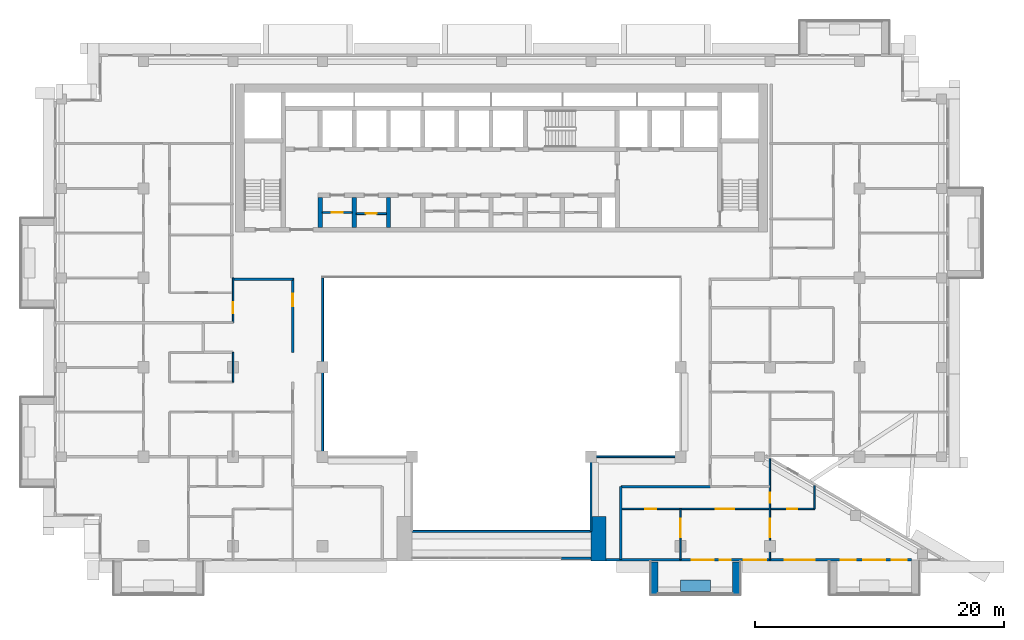
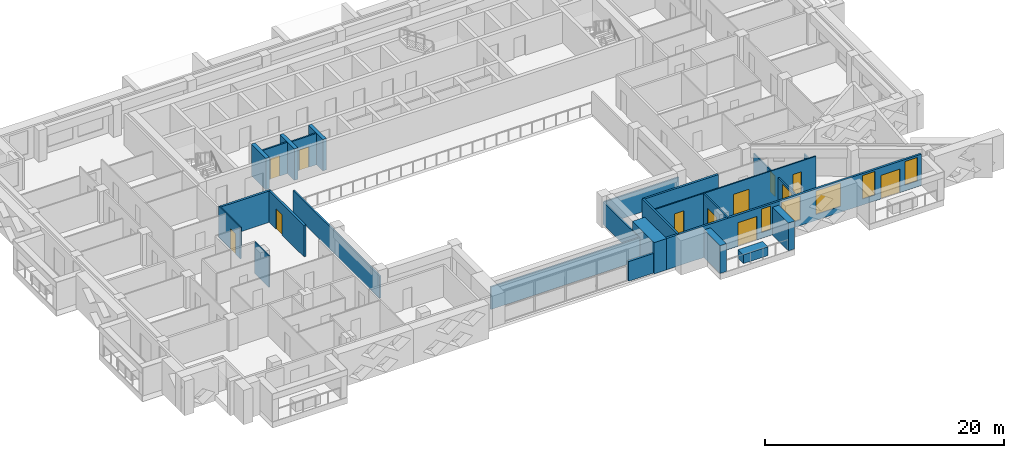
# One storey, part 8 of 20: 25 walls, 12 doors, 5 windows, 17 openings.
"""IFC4 building model written with IfcOpenShell, lengths in metres."""

from ifc_helpers import new_model, si_unit, direction, frame, frame_2d, origin, place, context, subcontext, project, spatial, rectangle, extrude, material, layer, layer_set, type_object, element, fill, save


model = new_model("IFC4")

# Units and contexts
model_context = context("Model", 3, precision=1e-05, world=origin(), true_north=direction((0.0, 1.0)))
body_context = subcontext(model_context, "Body", "Model", "MODEL_VIEW")
ifc_project = project(units=[si_unit("LENGTHUNIT", "METRE"), si_unit("AREAUNIT", "SQUARE_METRE"), si_unit("VOLUMEUNIT", "CUBIC_METRE"), si_unit("PLANEANGLEUNIT", "RADIAN"), si_unit("MASSUNIT", "GRAM", prefix="KILO")], contexts=[model_context])

# Site, building, storey
site_placement = place(None, origin())
site = spatial("IfcSite", under=ifc_project, at=site_placement, CompositionType="ELEMENT")
building_placement = place(site_placement, origin())
building = spatial("IfcBuilding", under=site, at=building_placement, Name="Saffron Iwan Residences", CompositionType="ELEMENT")
storey_placement = place(building_placement, frame((0.0, 0.0, 192.0)))
storey = spatial("IfcBuildingStorey", under=building, at=storey_placement, Name="L51", CompositionType="ELEMENT", Elevation=192.0)

# Walls
ifc_material_1 = material(Name="Fire-rated glazing", Category="glass")
ifc_layer_1 = layer(ifc_material_1, 0.14990234375)
ifc_layer_set_1 = layer_set([ifc_layer_1], Name="Fire-rated glazing")
wall_type_1 = type_object("IfcWallType", Name="Atrium glazed screen 150", PredefinedType="SOLIDWALL", material=ifc_layer_set_1)
wall_1_placement = place(storey_placement, frame((43.199951171875, 42.0, 0.0), z_axis=(0.0, 0.0, 1.0), x_axis=(1.0, 0.0, 0.0)))
element("IfcWall", 1, at=wall_1_placement, inside=storey, type_object=wall_type_1, Name="W-L51-SCREEN-h42-43.2", PredefinedType="SOLIDWALL", context=body_context, shape_type="SweptSolid", body=[
    extrude(rectangle(XDim=14.400146484375, YDim=0.14990234375, at=frame_2d((7.2001953125, 0.0))), origin(), (0.0, 0.0, 1.0), 2.300048828125),
])
wall_2_placement = place(storey_placement, frame((57.60009765625, 48.0, 0.0), z_axis=(0.0, 0.0, 1.0), x_axis=(1.0, 0.0, 0.0)))
element("IfcWall", 2, at=wall_2_placement, inside=storey, type_object=wall_type_1, Name="W-L51-SCREEN-h48-57.6", PredefinedType="SOLIDWALL", context=body_context, shape_type="SweptSolid", body=[
    extrude(rectangle(XDim=7.199951171875, YDim=0.14990234375, at=frame_2d((3.60009765625, 0.0))), origin(), (0.0, 0.0, 1.0), 2.300048828125),
])
wall_3_placement = place(storey_placement, frame((36.0, 48.0, 0.0), z_axis=(0.0, 0.0, 1.0), x_axis=(0.0, 1.0, 0.0)))
element("IfcWall", 3, at=wall_3_placement, inside=storey, type_object=wall_type_1, Name="W-L51-SCREEN-v36-48", PredefinedType="SOLIDWALL", context=body_context, shape_type="SweptSolid", body=[
    extrude(rectangle(XDim=14.39990234375, YDim=0.14990234375, at=frame_2d((7.199951171875, 0.0))), origin(), (0.0, 0.0, 1.0), 2.300048828125),
])
wall_4_placement = place(storey_placement, frame((57.60009765625, 42.0, 0.0), z_axis=(0.0, 0.0, 1.0), x_axis=(0.0, 1.0, 0.0)))
element("IfcWall", 4, at=wall_4_placement, inside=storey, type_object=wall_type_1, Name="W-L51-SCREEN-v57.6-42", PredefinedType="SOLIDWALL", context=body_context, shape_type="SweptSolid", body=[
    extrude(rectangle(XDim=6.0, YDim=0.14990234375, at=frame_2d((3.0, 0.0))), origin(), (0.0, 0.0, 1.0), 2.300048828125),
])
ifc_material_2 = material(Name="Concrete C50/60 white painted", Category="concrete")
ifc_layer_2 = layer(ifc_material_2, 0.60009765625)
ifc_layer_set_2 = layer_set([ifc_layer_2], Name="Concrete C50/60 white painted")
wall_type_2 = type_object("IfcWallType", Name="BALCONY FIN 600", PredefinedType="SOLIDWALL", material=ifc_layer_set_2)
for number, where, z_axis, x_axis, name in (
    (5, (62.699951171875, 39.550048828125, 0.0), (0.0, 0.0, 1.0), (0.0, -1.0, 0.0), "Balcony fin L51 11-2a"),
    (6, (69.300048828125, 39.550048828125, 0.0), (0.0, 0.0, 1.0), (0.0, -1.0, 0.0), "Balcony fin L51 11-2b"),
):
    element("IfcWall", number, at=place(storey_placement, frame(where, z_axis=z_axis, x_axis=x_axis)), inside=storey, type_object=wall_type_2, Name=name, PredefinedType="SOLIDWALL", context=body_context, shape_type="SweptSolid", body=[
        extrude(rectangle(XDim=2.650146484375, YDim=0.60009765625, at=frame_2d((1.3251953125, 0.0))), origin(), (0.0, 0.0, 1.0), 2.85009765625),
    ])
ifc_material_3 = material(Name="Concrete C35/45 white painted", Category="concrete")
ifc_layer_3 = layer(ifc_material_3, 0.14990234375)
ifc_layer_set_3 = layer_set([ifc_layer_3], Name="Concrete C35/45 white painted")
wall_type_3 = type_object("IfcWallType", Name="BALCONY PLANTER", PredefinedType="SOLIDWALL", material=ifc_layer_set_3)
wall_5_placement = place(storey_placement, frame((64.800048828125, 37.625, 0.0), z_axis=(0.0, 0.0, 1.0), x_axis=(1.0, 0.0, 0.0)))
element("IfcWall", 7, at=wall_5_placement, inside=storey, type_object=wall_type_3, Name="PLANTER L51 11-2", PredefinedType="SOLIDWALL", context=body_context, shape_type="SweptSolid", body=[
    extrude(rectangle(XDim=2.39990234375, YDim=0.89990234375, at=frame_2d((1.199951171875, 0.0))), origin(), (0.0, 0.0, 1.0), 0.89990234375),
])

# Wall, opening, door
ifc_material_4 = material(Name="Fire-rated plasterboard partition")
ifc_layer_4 = layer(ifc_material_4, 0.14990234375)
ifc_layer_set_4 = layer_set([ifc_layer_4], Name="Fire-rated plasterboard partition")
wall_type_4 = type_object("IfcWallType", Name="Core partition 150", PredefinedType="PARTITIONING", material=ifc_layer_set_4)
wall_6_placement = place(storey_placement, frame((35.97509765625, 67.66259765625, 0.0), z_axis=(0.0, 0.0, 1.0), x_axis=(1.0, 0.0, 0.0)))
wall_6 = element("IfcWall", 8, at=wall_6_placement, inside=storey, type_object=wall_type_4, Name="Core partition P01", PredefinedType="PARTITIONING", context=body_context, shape_type="SweptSolid", body=[
    extrude(rectangle(XDim=2.39990234375, YDim=0.14990234375, at=frame_2d((1.199951171875, 0.0))), origin(), (0.0, 0.0, 1.0), 3.199951171875),
])
opening_1_placement = place(wall_6_placement, frame((0.75, 0.0, 0.0)))
opening_1 = element("IfcOpeningElement", 9, at=opening_1_placement, cuts=wall_6, Name="Opening SB", PredefinedType="OPENING", context=body_context, shape_type="SweptSolid", body=[
    extrude(rectangle(XDim=0.89990234375, YDim=2.10009765625, at=frame_2d((0.449951171875, 1.050048828125))), frame((0.0, 0.0849609375, 0.0), z_axis=(0.0, -1.0, 0.0), x_axis=(1.0, 0.0, 0.0)), (0.0, 0.0, 1.0), 0.169921875),
])
ifc_material_5 = material(Name="Steel fire door", Category="steel")
door_type_1 = type_object("IfcDoorType", Name="Store door 900", OperationType="NOTDEFINED", PredefinedType="DOOR", material=ifc_material_5)
door_1_placement = place(opening_1_placement, origin())
door_1 = element("IfcDoor", 10, at=door_1_placement, inside=storey, type_object=door_type_1, Name="Door Mop store", OperationType="SINGLE_SWING_RIGHT", OverallHeight=2.10009765625, OverallWidth=0.89990234375, PredefinedType="DOOR", context=body_context, shape_type="SweptSolid", body=[
    extrude(rectangle(XDim=0.89990234375, YDim=2.10009765625, at=frame_2d((0.449951171875, 1.050048828125))), frame((0.0, 0.02490234375, 0.0), z_axis=(0.0, -1.0, 0.0), x_axis=(1.0, 0.0, 0.0)), (0.0, 0.0, 1.0), 0.050048828125),
])
fill(opening_1, door_1)

wall_7_placement = place(storey_placement, frame((38.72509765625, 67.5654296875, 0.0), z_axis=(0.0, 0.0, 1.0), x_axis=(1.0, 0.0, 0.0)))
wall_7 = element("IfcWall", 11, at=wall_7_placement, inside=storey, type_object=wall_type_4, Name="Core partition P02", PredefinedType="PARTITIONING", context=body_context, shape_type="SweptSolid", body=[
    extrude(rectangle(XDim=2.39990234375, YDim=0.14990234375, at=frame_2d((1.199951171875, 0.0))), origin(), (0.0, 0.0, 1.0), 3.199951171875),
])
opening_2_placement = place(wall_7_placement, frame((0.75, 0.0, 0.0)))
opening_2 = element("IfcOpeningElement", 12, at=opening_2_placement, cuts=wall_7, Name="Opening SB", PredefinedType="OPENING", context=body_context, shape_type="SweptSolid", body=[
    extrude(rectangle(XDim=0.89990234375, YDim=2.10009765625, at=frame_2d((0.449951171875, 1.050048828125))), frame((0.0, 0.0849609375, 0.0), z_axis=(0.0, -1.0, 0.0), x_axis=(1.0, 0.0, 0.0)), (0.0, 0.0, 1.0), 0.169921875),
])
door_2_placement = place(opening_2_placement, origin())
door_2 = element("IfcDoor", 13, at=door_2_placement, inside=storey, type_object=door_type_1, Name="Door Spares store", OperationType="SINGLE_SWING_LEFT", OverallHeight=2.10009765625, OverallWidth=0.89990234375, PredefinedType="DOOR", context=body_context, shape_type="SweptSolid", body=[
    extrude(rectangle(XDim=0.89990234375, YDim=2.10009765625, at=frame_2d((0.449951171875, 1.050048828125))), frame((0.0, 0.02490234375, 0.0), z_axis=(0.0, -1.0, 0.0), x_axis=(1.0, 0.0, 0.0)), (0.0, 0.0, 1.0), 0.050048828125),
])
fill(opening_2, door_2)

# Wall, openings, doors, windows
ifc_material_6 = material(Name="Concrete C40/50", Category="concrete")
ifc_layer_5 = layer(ifc_material_6, 0.199951171875)
ifc_layer_set_5 = layer_set([ifc_layer_5], Name="Concrete C40/50")
wall_type_5 = type_object("IfcWallType", Name="EXTERNAL WALL 200", PredefinedType="SOLIDWALL", material=ifc_layer_set_5)
wall_8_placement = place(storey_placement, frame((58.800048828125, 39.699951171875, 0.0), z_axis=(0.0, 0.0, 1.0), x_axis=(1.0, 0.0, 0.0)))
wall_8 = element("IfcWall", 14, at=wall_8_placement, inside=storey, type_object=wall_type_5, Name="External wall L51 F11.1", PredefinedType="SOLIDWALL", context=body_context, shape_type="SweptSolid", body=[
    extrude(rectangle(XDim=24.599853515625, YDim=0.199951171875, at=frame_2d((12.2998046875, 0.0))), origin(), (0.0, 0.0, 1.0), 3.199951171875),
])
opening_3_placement = place(wall_8_placement, frame((6.89990234375, 0.0, 0.0)))
opening_3 = element("IfcOpeningElement", 15, at=opening_3_placement, cuts=wall_8, Name="Opening BD1", PredefinedType="OPENING", context=body_context, shape_type="SweptSolid", body=[
    extrude(rectangle(XDim=1.800048828125, YDim=2.39990234375, at=frame_2d((0.89990234375, 1.199951171875))), frame((0.0, 0.10986328125, 0.0), z_axis=(0.0, -1.0, 0.0), x_axis=(1.0, 0.0, 0.0)), (0.0, 0.0, 1.0), 0.219970703125),
])
opening_4_placement = place(wall_8_placement, frame((20.699951171875, 0.0, 0.0)))
opening_4 = element("IfcOpeningElement", 16, at=opening_4_placement, cuts=wall_8, Name="Opening BD1", PredefinedType="OPENING", context=body_context, shape_type="SweptSolid", body=[
    extrude(rectangle(XDim=1.800048828125, YDim=2.39990234375, at=frame_2d((0.89990234375, 1.199951171875))), frame((0.0, 0.10986328125, 0.0), z_axis=(0.0, -1.0, 0.0), x_axis=(1.0, 0.0, 0.0)), (0.0, 0.0, 1.0), 0.219970703125),
])
opening_5_placement = place(wall_8_placement, frame((9.14990234375, 0.0, 0.60009765625)))
opening_5 = element("IfcOpeningElement", 17, at=opening_5_placement, cuts=wall_8, Name="Opening W10", PredefinedType="OPENING", context=body_context, shape_type="SweptSolid", body=[
    extrude(rectangle(XDim=0.89990234375, YDim=2.39990234375, at=frame_2d((0.449951171875, 1.199951171875))), frame((0.0, 0.10986328125, 0.0), z_axis=(0.0, -1.0, 0.0), x_axis=(1.0, 0.0, 0.0)), (0.0, 0.0, 1.0), 0.219970703125),
])
opening_6_placement = place(wall_8_placement, frame((11.10009765625, 0.0, 0.60009765625)))
opening_6 = element("IfcOpeningElement", 18, at=opening_6_placement, cuts=wall_8, Name="Opening W8", PredefinedType="OPENING", context=body_context, shape_type="SweptSolid", body=[
    extrude(rectangle(XDim=1.800048828125, YDim=2.39990234375, at=frame_2d((0.89990234375, 1.199951171875))), frame((0.0, 0.10986328125, 0.0), z_axis=(0.0, -1.0, 0.0), x_axis=(1.0, 0.0, 0.0)), (0.0, 0.0, 1.0), 0.219970703125),
])
opening_7_placement = place(wall_8_placement, frame((14.39990234375, 0.0, 0.60009765625)))
opening_7 = element("IfcOpeningElement", 19, at=opening_7_placement, cuts=wall_8, Name="Opening W1", PredefinedType="OPENING", context=body_context, shape_type="SweptSolid", body=[
    extrude(rectangle(XDim=2.39990234375, YDim=2.39990234375, at=frame_2d((1.199951171875, 1.199951171875))), frame((0.0, 0.10986328125, 0.0), z_axis=(0.0, -1.0, 0.0), x_axis=(1.0, 0.0, 0.0)), (0.0, 0.0, 1.0), 0.219970703125),
])
opening_8_placement = place(wall_8_placement, frame((18.89990234375, 0.0, 0.60009765625)))
opening_8 = element("IfcOpeningElement", 20, at=opening_8_placement, cuts=wall_8, Name="Opening W3", PredefinedType="OPENING", context=body_context, shape_type="SweptSolid", body=[
    extrude(rectangle(XDim=1.199951171875, YDim=2.39990234375, at=frame_2d((0.60009765625, 1.199951171875))), frame((0.0, 0.10986328125, 0.0), z_axis=(0.0, -1.0, 0.0), x_axis=(1.0, 0.0, 0.0)), (0.0, 0.0, 1.0), 0.219970703125),
])
opening_9_placement = place(wall_8_placement, frame((23.0, 0.0, 0.60009765625)))
opening_9 = element("IfcOpeningElement", 21, at=opening_9_placement, cuts=wall_8, Name="Opening W3", PredefinedType="OPENING", context=body_context, shape_type="SweptSolid", body=[
    extrude(rectangle(XDim=1.199951171875, YDim=2.39990234375, at=frame_2d((0.60009765625, 1.199951171875))), frame((0.0, 0.10986328125, 0.0), z_axis=(0.0, -1.0, 0.0), x_axis=(1.0, 0.0, 0.0)), (0.0, 0.0, 1.0), 0.219970703125),
])
ifc_material_7 = material(Name="Clear glass, laminated double glazed", Category="glass")
door_type_2 = type_object("IfcDoorType", Name="BALCONY DOOR 1800 x 2400", OperationType="DOUBLE_DOOR_SLIDING", PredefinedType="DOOR", material=ifc_material_7)
door_3_placement = place(opening_3_placement, origin())
door_3 = element("IfcDoor", 22, at=door_3_placement, inside=storey, type_object=door_type_2, Name="Balcony door L51 F11.0", OperationType="DOUBLE_DOOR_SLIDING", OverallHeight=2.39990234375, OverallWidth=1.800048828125, PredefinedType="DOOR", context=body_context, shape_type="SweptSolid", body=[
    extrude(rectangle(XDim=1.800048828125, YDim=2.39990234375, at=frame_2d((0.89990234375, 1.199951171875))), frame((0.0, 0.02490234375, 0.0), z_axis=(0.0, -1.0, 0.0), x_axis=(1.0, 0.0, 0.0)), (0.0, 0.0, 1.0), 0.050048828125),
])
fill(opening_3, door_3)
door_4_placement = place(opening_4_placement, origin())
door_4 = element("IfcDoor", 23, at=door_4_placement, inside=storey, type_object=door_type_2, Name="Balcony door L51 F11.1", OperationType="DOUBLE_DOOR_SLIDING", OverallHeight=2.39990234375, OverallWidth=1.800048828125, PredefinedType="DOOR", context=body_context, shape_type="SweptSolid", body=[
    extrude(rectangle(XDim=1.800048828125, YDim=2.39990234375, at=frame_2d((0.89990234375, 1.199951171875))), frame((0.0, 0.02490234375, 0.0), z_axis=(0.0, -1.0, 0.0), x_axis=(1.0, 0.0, 0.0)), (0.0, 0.0, 1.0), 0.050048828125),
])
fill(opening_4, door_4)
window_type_1 = type_object("IfcWindowType", Name="WINDOW 1200 x 2400", PartitioningType="SINGLE_PANEL", PredefinedType="WINDOW", material=ifc_material_7)
window_1_placement = place(opening_8_placement, origin())
window_1 = element("IfcWindow", 24, at=window_1_placement, inside=storey, type_object=window_type_1, Name="Window L51 F11.5", OverallHeight=2.39990234375, OverallWidth=1.199951171875, PartitioningType="SINGLE_PANEL", PredefinedType="WINDOW", context=body_context, shape_type="SweptSolid", body=[
    extrude(rectangle(XDim=1.199951171875, YDim=2.39990234375, at=frame_2d((0.60009765625, 1.199951171875))), frame((0.0, 0.030029296875, 0.0), z_axis=(0.0, -1.0, 0.0), x_axis=(1.0, 0.0, 0.0)), (0.0, 0.0, 1.0), 0.06005859375),
])
fill(opening_8, window_1)
window_2_placement = place(opening_9_placement, origin())
window_2 = element("IfcWindow", 25, at=window_2_placement, inside=storey, type_object=window_type_1, Name="Window L51 F11.6", OverallHeight=2.39990234375, OverallWidth=1.199951171875, PartitioningType="SINGLE_PANEL", PredefinedType="WINDOW", context=body_context, shape_type="SweptSolid", body=[
    extrude(rectangle(XDim=1.199951171875, YDim=2.39990234375, at=frame_2d((0.60009765625, 1.199951171875))), frame((0.0, 0.030029296875, 0.0), z_axis=(0.0, -1.0, 0.0), x_axis=(1.0, 0.0, 0.0)), (0.0, 0.0, 1.0), 0.06005859375),
])
fill(opening_9, window_2)
window_type_2 = type_object("IfcWindowType", Name="WINDOW 1800 x 2400", PartitioningType="DOUBLE_PANEL_VERTICAL", PredefinedType="WINDOW", material=ifc_material_7)
window_3_placement = place(opening_6_placement, origin())
window_3 = element("IfcWindow", 26, at=window_3_placement, inside=storey, type_object=window_type_2, Name="Window L51 F11.3", OverallHeight=2.39990234375, OverallWidth=1.800048828125, PartitioningType="DOUBLE_PANEL_VERTICAL", PredefinedType="WINDOW", context=body_context, shape_type="SweptSolid", body=[
    extrude(rectangle(XDim=1.800048828125, YDim=2.39990234375, at=frame_2d((0.89990234375, 1.199951171875))), frame((0.0, 0.030029296875, 0.0), z_axis=(0.0, -1.0, 0.0), x_axis=(1.0, 0.0, 0.0)), (0.0, 0.0, 1.0), 0.06005859375),
])
fill(opening_6, window_3)
window_type_3 = type_object("IfcWindowType", Name="WINDOW 2400 x 2400", PartitioningType="DOUBLE_PANEL_VERTICAL", PredefinedType="WINDOW", material=ifc_material_7)
window_4_placement = place(opening_7_placement, origin())
window_4 = element("IfcWindow", 27, at=window_4_placement, inside=storey, type_object=window_type_3, Name="Window L51 F11.4", OverallHeight=2.39990234375, OverallWidth=2.39990234375, PartitioningType="DOUBLE_PANEL_VERTICAL", PredefinedType="WINDOW", context=body_context, shape_type="SweptSolid", body=[
    extrude(rectangle(XDim=2.39990234375, YDim=2.39990234375, at=frame_2d((1.199951171875, 1.199951171875))), frame((0.0, 0.030029296875, 0.0), z_axis=(0.0, -1.0, 0.0), x_axis=(1.0, 0.0, 0.0)), (0.0, 0.0, 1.0), 0.06005859375),
])
fill(opening_7, window_4)
window_type_4 = type_object("IfcWindowType", Name="WINDOW 900 x 2400", PartitioningType="SINGLE_PANEL", PredefinedType="WINDOW", material=ifc_material_7)
window_5_placement = place(opening_5_placement, origin())
window_5 = element("IfcWindow", 28, at=window_5_placement, inside=storey, type_object=window_type_4, Name="Window L51 F11.2", OverallHeight=2.39990234375, OverallWidth=0.89990234375, PartitioningType="SINGLE_PANEL", PredefinedType="WINDOW", context=body_context, shape_type="SweptSolid", body=[
    extrude(rectangle(XDim=0.89990234375, YDim=2.39990234375, at=frame_2d((0.449951171875, 1.199951171875))), frame((0.0, 0.030029296875, 0.0), z_axis=(0.0, -1.0, 0.0), x_axis=(1.0, 0.0, 0.0)), (0.0, 0.0, 1.0), 0.06005859375),
])
fill(opening_5, window_5)

# Wall
wall_9_placement = place(storey_placement, frame((55.199951171875, 39.85009765625, 0.0), z_axis=(0.0, 0.0, 1.0), x_axis=(1.0, 0.0, 0.0)))
element("IfcWall", 29, at=wall_9_placement, inside=storey, type_object=wall_type_5, Name="External wall infill CWB-L51-0", PredefinedType="SOLIDWALL", context=body_context, shape_type="SweptSolid", body=[
    extrude(rectangle(XDim=2.400146484375, YDim=0.199951171875, at=frame_2d((1.2001953125, 0.0))), origin(), (0.0, 0.0, 1.0), 2.0),
])

# Wall, openings, doors
ifc_material_8 = material(Name="Gypsum board partition")
ifc_layer_6 = layer(ifc_material_8, 0.1201171875)
ifc_layer_set_6 = layer_set([ifc_layer_6], Name="Gypsum board partition")
wall_type_6 = type_object("IfcWallType", Name="Flat partition 120", PredefinedType="PARTITIONING", material=ifc_layer_set_6)
wall_10_placement = place(storey_placement, frame((60.0, 43.800048828125, 0.0), z_axis=(0.0, 0.0, 1.0), x_axis=(1.0, 0.0, 0.0)))
wall_10 = element("IfcWall", 30, at=wall_10_placement, inside=storey, type_object=wall_type_6, Name="W-L51-PART-h43.8-60", PredefinedType="PARTITIONING", context=body_context, shape_type="SweptSolid", body=[
    extrude(rectangle(XDim=15.60009765625, YDim=0.1201171875, at=frame_2d((7.800048828125, 0.0))), origin(), (0.0, 0.0, 1.0), 3.199951171875),
])
opening_10_placement = place(wall_10_placement, frame((7.64990234375, 0.0, 0.0)))
opening_10 = element("IfcOpeningElement", 31, at=opening_10_placement, cuts=wall_10, Name="Opening FD4", PredefinedType="OPENING", context=body_context, shape_type="SweptSolid", body=[
    extrude(rectangle(XDim=1.5, YDim=2.10009765625, at=frame_2d((0.75, 1.050048828125))), frame((0.0, 0.070068359375, 0.0), z_axis=(0.0, -1.0, 0.0), x_axis=(1.0, 0.0, 0.0)), (0.0, 0.0, 1.0), 0.14013671875),
])
opening_11_placement = place(wall_10_placement, frame((1.949951171875, 0.0, 0.0)))
opening_11 = element("IfcOpeningElement", 32, at=opening_11_placement, cuts=wall_10, Name="Opening FD2", PredefinedType="OPENING", context=body_context, shape_type="SweptSolid", body=[
    extrude(rectangle(XDim=0.89990234375, YDim=2.10009765625, at=frame_2d((0.449951171875, 1.050048828125))), frame((0.0, 0.070068359375, 0.0), z_axis=(0.0, -1.0, 0.0), x_axis=(1.0, 0.0, 0.0)), (0.0, 0.0, 1.0), 0.14013671875),
])
opening_12_placement = place(wall_10_placement, frame((13.39990234375, 0.0, 0.0)))
opening_12 = element("IfcOpeningElement", 33, at=opening_12_placement, cuts=wall_10, Name="Opening FD3", PredefinedType="OPENING", context=body_context, shape_type="SweptSolid", body=[
    extrude(rectangle(XDim=0.800048828125, YDim=2.10009765625, at=frame_2d((0.39990234375, 1.050048828125))), frame((0.0, 0.070068359375, 0.0), z_axis=(0.0, -1.0, 0.0), x_axis=(1.0, 0.0, 0.0)), (0.0, 0.0, 1.0), 0.14013671875),
])
ifc_material_9 = material(Name="Timber door", Category="wood")
door_type_3 = type_object("IfcDoorType", Name="Bathroom door 800", OperationType="NOTDEFINED", PredefinedType="DOOR", material=ifc_material_9)
door_5_placement = place(opening_12_placement, origin())
door_5 = element("IfcDoor", 34, at=door_5_placement, inside=storey, type_object=door_type_3, Name="Door L51-049", OperationType="SINGLE_SWING_RIGHT", OverallHeight=2.10009765625, OverallWidth=0.800048828125, PredefinedType="DOOR", context=body_context, shape_type="SweptSolid", body=[
    extrude(rectangle(XDim=0.800048828125, YDim=2.10009765625, at=frame_2d((0.39990234375, 1.050048828125))), frame((0.0, 0.02490234375, 0.0), z_axis=(0.0, -1.0, 0.0), x_axis=(1.0, 0.0, 0.0)), (0.0, 0.0, 1.0), 0.050048828125),
])
fill(opening_12, door_5)
door_type_4 = type_object("IfcDoorType", Name="Double door 1500", OperationType="NOTDEFINED", PredefinedType="DOOR", material=ifc_material_9)
door_6_placement = place(opening_10_placement, origin())
door_6 = element("IfcDoor", 35, at=door_6_placement, inside=storey, type_object=door_type_4, Name="Door L51-045", OperationType="SINGLE_SWING_LEFT", OverallHeight=2.10009765625, OverallWidth=1.5, PredefinedType="DOOR", context=body_context, shape_type="SweptSolid", body=[
    extrude(rectangle(XDim=1.5, YDim=2.10009765625, at=frame_2d((0.75, 1.050048828125))), frame((0.0, 0.02490234375, 0.0), z_axis=(0.0, -1.0, 0.0), x_axis=(1.0, 0.0, 0.0)), (0.0, 0.0, 1.0), 0.050048828125),
])
fill(opening_10, door_6)
door_type_5 = type_object("IfcDoorType", Name="Flat door 900", OperationType="NOTDEFINED", PredefinedType="DOOR", material=ifc_material_9)
door_7_placement = place(opening_11_placement, origin())
door_7 = element("IfcDoor", 36, at=door_7_placement, inside=storey, type_object=door_type_5, Name="Door L51-046", OperationType="SINGLE_SWING_RIGHT", OverallHeight=2.10009765625, OverallWidth=0.89990234375, PredefinedType="DOOR", context=body_context, shape_type="SweptSolid", body=[
    extrude(rectangle(XDim=0.89990234375, YDim=2.10009765625, at=frame_2d((0.449951171875, 1.050048828125))), frame((0.0, 0.02490234375, 0.0), z_axis=(0.0, -1.0, 0.0), x_axis=(1.0, 0.0, 0.0)), (0.0, 0.0, 1.0), 0.050048828125),
])
fill(opening_11, door_7)

# Wall
wall_11_placement = place(storey_placement, frame((28.800048828125, 54.0, 0.0), z_axis=(0.0, 0.0, 1.0), x_axis=(0.0, 1.0, 0.0)))
element("IfcWall", 37, at=wall_11_placement, inside=storey, type_object=wall_type_6, Name="W-L51-PART-v28.8-54", PredefinedType="PARTITIONING", context=body_context, shape_type="SweptSolid", body=[
    extrude(rectangle(XDim=2.39990234375, YDim=0.1201171875, at=frame_2d((1.199951171875, 0.0))), origin(), (0.0, 0.0, 1.0), 3.199951171875),
])

# Wall, opening, door
wall_12_placement = place(storey_placement, frame((28.800048828125, 58.800048828125, 0.0), z_axis=(0.0, 0.0, 1.0), x_axis=(0.0, 1.0, 0.0)))
wall_12 = element("IfcWall", 38, at=wall_12_placement, inside=storey, type_object=wall_type_6, Name="W-L51-PART-v28.8-58.8", PredefinedType="PARTITIONING", context=body_context, shape_type="SweptSolid", body=[
    extrude(rectangle(XDim=3.599853515625, YDim=0.1201171875, at=frame_2d((1.7998046875, 0.0))), origin(), (0.0, 0.0, 1.0), 3.199951171875),
])
opening_13_placement = place(wall_12_placement, frame((0.75, 0.0, 0.0)))
opening_13 = element("IfcOpeningElement", 39, at=opening_13_placement, cuts=wall_12, Name="Opening FD2", PredefinedType="OPENING", context=body_context, shape_type="SweptSolid", body=[
    extrude(rectangle(XDim=0.89990234375, YDim=2.10009765625, at=frame_2d((0.449951171875, 1.050048828125))), frame((0.0, 0.070068359375, 0.0), z_axis=(0.0, -1.0, 0.0), x_axis=(1.0, 0.0, 0.0)), (0.0, 0.0, 1.0), 0.14013671875),
])
door_8_placement = place(opening_13_placement, origin())
door_8 = element("IfcDoor", 40, at=door_8_placement, inside=storey, type_object=door_type_5, Name="Door L51-024", OperationType="SINGLE_SWING_LEFT", OverallHeight=2.10009765625, OverallWidth=0.89990234375, PredefinedType="DOOR", context=body_context, shape_type="SweptSolid", body=[
    extrude(rectangle(XDim=0.89990234375, YDim=2.10009765625, at=frame_2d((0.449951171875, 1.050048828125))), frame((0.0, 0.02490234375, 0.0), z_axis=(0.0, -1.0, 0.0), x_axis=(1.0, 0.0, 0.0)), (0.0, 0.0, 1.0), 0.050048828125),
])
fill(opening_13, door_8)

wall_13_placement = place(storey_placement, frame((64.800048828125, 39.72509765625, 0.0), z_axis=(0.0, 0.0, 1.0), x_axis=(0.0, 1.0, 0.0)))
wall_13 = element("IfcWall", 41, at=wall_13_placement, inside=storey, type_object=wall_type_6, Name="W-L51-PART-v64.8-39.725", PredefinedType="PARTITIONING", context=body_context, shape_type="SweptSolid", body=[
    extrude(rectangle(XDim=4.074951171875, YDim=0.1201171875, at=frame_2d((2.03759765625, 0.0))), origin(), (0.0, 0.0, 1.0), 3.199951171875),
])
opening_14_placement = place(wall_13_placement, frame((1.78759765625, 0.0, 0.0)))
opening_14 = element("IfcOpeningElement", 42, at=opening_14_placement, cuts=wall_13, Name="Opening FD4", PredefinedType="OPENING", context=body_context, shape_type="SweptSolid", body=[
    extrude(rectangle(XDim=1.5, YDim=2.10009765625, at=frame_2d((0.75, 1.050048828125))), frame((0.0, 0.070068359375, 0.0), z_axis=(0.0, -1.0, 0.0), x_axis=(1.0, 0.0, 0.0)), (0.0, 0.0, 1.0), 0.14013671875),
])
door_9_placement = place(opening_14_placement, origin())
door_9 = element("IfcDoor", 43, at=door_9_placement, inside=storey, type_object=door_type_4, Name="Door L51-042", OperationType="SINGLE_SWING_RIGHT", OverallHeight=2.10009765625, OverallWidth=1.5, PredefinedType="DOOR", context=body_context, shape_type="SweptSolid", body=[
    extrude(rectangle(XDim=1.5, YDim=2.10009765625, at=frame_2d((0.75, 1.050048828125))), frame((0.0, 0.02490234375, 0.0), z_axis=(0.0, -1.0, 0.0), x_axis=(1.0, 0.0, 0.0)), (0.0, 0.0, 1.0), 0.050048828125),
])
fill(opening_14, door_9)

# Wall, openings, doors
wall_14_placement = place(storey_placement, frame((72.0, 39.72509765625, 0.0), z_axis=(0.0, 0.0, 1.0), x_axis=(0.0, 1.0, 0.0)))
wall_14 = element("IfcWall", 44, at=wall_14_placement, inside=storey, type_object=wall_type_6, Name="W-L51-PART-v72-39.725", PredefinedType="PARTITIONING", context=body_context, shape_type="SweptSolid", body=[
    extrude(rectangle(XDim=8.1298828125, YDim=0.1201171875, at=frame_2d((4.06494140625, 0.0))), origin(), (0.0, 0.0, 1.0), 2.300048828125),
])
opening_15_placement = place(wall_14_placement, frame((1.78759765625, 0.0, 0.0)))
opening_15 = element("IfcOpeningElement", 45, at=opening_15_placement, cuts=wall_14, Name="Opening FD4", PredefinedType="OPENING", context=body_context, shape_type="SweptSolid", body=[
    extrude(rectangle(XDim=1.5, YDim=2.10009765625, at=frame_2d((0.75, 1.050048828125))), frame((0.0, 0.070068359375, 0.0), z_axis=(0.0, -1.0, 0.0), x_axis=(1.0, 0.0, 0.0)), (0.0, 0.0, 1.0), 0.14013671875),
])
opening_16_placement = place(wall_14_placement, frame((4.574951171875, 0.0, 0.0)))
opening_16 = element("IfcOpeningElement", 46, at=opening_16_placement, cuts=wall_14, Name="Opening FD3", PredefinedType="OPENING", context=body_context, shape_type="SweptSolid", body=[
    extrude(rectangle(XDim=0.800048828125, YDim=2.10009765625, at=frame_2d((0.39990234375, 1.050048828125))), frame((0.0, 0.070068359375, 0.0), z_axis=(0.0, -1.0, 0.0), x_axis=(1.0, 0.0, 0.0)), (0.0, 0.0, 1.0), 0.14013671875),
])
door_10_placement = place(opening_16_placement, origin())
door_10 = element("IfcDoor", 47, at=door_10_placement, inside=storey, type_object=door_type_3, Name="Door L51-048", OperationType="SINGLE_SWING_LEFT", OverallHeight=2.10009765625, OverallWidth=0.800048828125, PredefinedType="DOOR", context=body_context, shape_type="SweptSolid", body=[
    extrude(rectangle(XDim=0.800048828125, YDim=2.10009765625, at=frame_2d((0.39990234375, 1.050048828125))), frame((0.0, 0.02490234375, 0.0), z_axis=(0.0, -1.0, 0.0), x_axis=(1.0, 0.0, 0.0)), (0.0, 0.0, 1.0), 0.050048828125),
])
fill(opening_16, door_10)
door_11_placement = place(opening_15_placement, origin())
door_11 = element("IfcDoor", 48, at=door_11_placement, inside=storey, type_object=door_type_4, Name="Door L51-047", OperationType="SINGLE_SWING_RIGHT", OverallHeight=2.10009765625, OverallWidth=1.5, PredefinedType="DOOR", context=body_context, shape_type="SweptSolid", body=[
    extrude(rectangle(XDim=1.5, YDim=2.10009765625, at=frame_2d((0.75, 1.050048828125))), frame((0.0, 0.02490234375, 0.0), z_axis=(0.0, -1.0, 0.0), x_axis=(1.0, 0.0, 0.0)), (0.0, 0.0, 1.0), 0.050048828125),
])
fill(opening_15, door_11)

# Walls
wall_15_placement = place(storey_placement, frame((75.60009765625, 43.800048828125, 0.0), z_axis=(0.0, 0.0, 1.0), x_axis=(0.0, 1.0, 0.0)))
element("IfcWall", 49, at=wall_15_placement, inside=storey, type_object=wall_type_6, Name="W-L51-PART-v75.6-43.8", PredefinedType="PARTITIONING", context=body_context, shape_type="SweptSolid", body=[
    extrude(rectangle(XDim=1.868408203125, YDim=0.1201171875, at=frame_2d((0.93408203125, 0.0))), origin(), (0.0, 0.0, 1.0), 2.300048828125),
])
ifc_material_10 = material(Name="Fire-rated gypsum board wall")
ifc_layer_7 = layer(ifc_material_10, 0.199951171875)
ifc_layer_set_7 = layer_set([ifc_layer_7], Name="Fire-rated gypsum board wall")
wall_type_7 = type_object("IfcWallType", Name="Gallery wall 200", PredefinedType="SOLIDWALL", material=ifc_layer_set_7)
wall_16_placement = place(storey_placement, frame((60.0, 45.60009765625, 0.0), z_axis=(0.0, 0.0, 1.0), x_axis=(1.0, 0.0, 0.0)))
element("IfcWall", 50, at=wall_16_placement, inside=storey, type_object=wall_type_7, Name="W-L51-CORR-h45.6-60", PredefinedType="SOLIDWALL", context=body_context, shape_type="SweptSolid", body=[
    extrude(rectangle(XDim=7.199951171875, YDim=0.199951171875, at=frame_2d((3.60009765625, 0.0))), origin(), (0.0, 0.0, 1.0), 3.199951171875),
])
wall_17_placement = place(storey_placement, frame((28.800048828125, 62.300048828125, 0.0), z_axis=(0.0, 0.0, 1.0), x_axis=(1.0, 0.0, 0.0)))
element("IfcWall", 51, at=wall_17_placement, inside=storey, type_object=wall_type_7, Name="W-L51-CORR-h62.4-28.8", PredefinedType="SOLIDWALL", context=body_context, shape_type="SweptSolid", body=[
    extrude(rectangle(XDim=4.800048828125, YDim=0.199951171875, at=frame_2d((2.39990234375, 0.0))), origin(), (0.0, 0.0, 1.0), 3.199951171875),
])

# Wall, opening, door
wall_18_placement = place(storey_placement, frame((33.60009765625, 56.39990234375, 0.0), z_axis=(0.0, 0.0, 1.0), x_axis=(0.0, 1.0, 0.0)))
wall_18 = element("IfcWall", 52, at=wall_18_placement, inside=storey, type_object=wall_type_7, Name="W-L51-CORR-v33.6-56.4", PredefinedType="SOLIDWALL", context=body_context, shape_type="SweptSolid", body=[
    extrude(rectangle(XDim=6.0, YDim=0.199951171875, at=frame_2d((3.0, 0.0))), origin(), (0.0, 0.0, 1.0), 3.199951171875),
])
opening_17_placement = place(wall_18_placement, frame((3.699951171875, 0.0, 0.0)))
opening_17 = element("IfcOpeningElement", 53, at=opening_17_placement, cuts=wall_18, Name="Opening FD5", PredefinedType="OPENING", context=body_context, shape_type="SweptSolid", body=[
    extrude(rectangle(XDim=1.0, YDim=2.10009765625, at=frame_2d((0.5, 1.050048828125))), frame((0.0, 0.10986328125, 0.0), z_axis=(0.0, -1.0, 0.0), x_axis=(1.0, 0.0, 0.0)), (0.0, 0.0, 1.0), 0.219970703125),
])
ifc_material_11 = material(Name="Fire-rated timber door", Category="wood")
door_type_6 = type_object("IfcDoorType", Name="Lobby door 1000", OperationType="NOTDEFINED", PredefinedType="DOOR", material=ifc_material_11)
door_12_placement = place(opening_17_placement, origin())
door_12 = element("IfcDoor", 54, at=door_12_placement, inside=storey, type_object=door_type_6, Name="Door L51-025", OperationType="SINGLE_SWING_RIGHT", OverallHeight=2.10009765625, OverallWidth=1.0, PredefinedType="DOOR", context=body_context, shape_type="SweptSolid", body=[
    extrude(rectangle(XDim=1.0, YDim=2.10009765625, at=frame_2d((0.5, 1.050048828125))), frame((0.0, 0.02490234375, 0.0), z_axis=(0.0, -1.0, 0.0), x_axis=(1.0, 0.0, 0.0)), (0.0, 0.0, 1.0), 0.050048828125),
])
fill(opening_17, door_12)

# Walls
wall_19_placement = place(storey_placement, frame((60.0, 39.72509765625, 0.0), z_axis=(0.0, 0.0, 1.0), x_axis=(0.0, 1.0, 0.0)))
element("IfcWall", 55, at=wall_19_placement, inside=storey, type_object=wall_type_7, Name="W-L51-CORR-v60-39.725", PredefinedType="SOLIDWALL", context=body_context, shape_type="SweptSolid", body=[
    extrude(rectangle(XDim=5.875, YDim=0.199951171875, at=frame_2d((2.9375, 0.0))), origin(), (0.0, 0.0, 1.0), 3.199951171875),
])
ifc_material_12 = material(Name="Concrete C50/60", Category="concrete")
ifc_layer_8 = layer(ifc_material_12, 0.35009765625)
ifc_layer_set_8 = layer_set([ifc_layer_8], Name="Concrete C50/60")
wall_type_8 = type_object("IfcWallType", Name="WALL CORE 350 C50/60 3200 HIGH", PredefinedType="SHEAR", material=ifc_layer_set_8)
for number, where, z_axis, x_axis, name in (
    (56, (35.800048828125, 66.449951171875, 0.0), (0.0, 0.0, 1.0), (0.0, 1.0, 0.0), "Core wall"),
    (57, (38.550048828125, 66.449951171875, 0.0), (0.0, 0.0, 1.0), (0.0, 1.0, 0.0), "Core wall"),
    (58, (41.300048828125, 66.449951171875, 0.0), (0.0, 0.0, 1.0), (0.0, 1.0, 0.0), "Core wall"),
):
    element("IfcWall", number, at=place(storey_placement, frame(where, z_axis=z_axis, x_axis=x_axis)), inside=storey, type_object=wall_type_8, Name=name, PredefinedType="SHEAR", context=body_context, shape_type="SweptSolid", body=[
        extrude(rectangle(XDim=2.425048828125, YDim=0.35009765625, at=frame_2d((1.21240234375, 0.0))), origin(), (0.0, 0.0, 1.0), 3.199951171875),
    ])
ifc_layer_9 = layer(ifc_material_12, 1.199951171875)
ifc_layer_set_9 = layer_set([ifc_layer_9], Name="Concrete C50/60")
wall_type_9 = type_object("IfcWallType", Name="WALL IWAN PIER 1200 C50/60 3200 HIGH", PredefinedType="SHEAR", material=ifc_layer_set_9)
wall_20_placement = place(storey_placement, frame((58.199951171875, 39.60009765625, 0.0), z_axis=(0.0, 0.0, 1.0), x_axis=(0.0, 1.0, 0.0)))
element("IfcWall", 59, at=wall_20_placement, inside=storey, type_object=wall_type_9, Name="IWAN PIER", PredefinedType="SHEAR", context=body_context, shape_type="SweptSolid", body=[
    extrude(rectangle(XDim=3.599853515625, YDim=1.199951171875, at=frame_2d((1.7998046875, 0.0))), origin(), (0.0, 0.0, 1.0), 3.199951171875),
])

save(model, "model.ifc")
